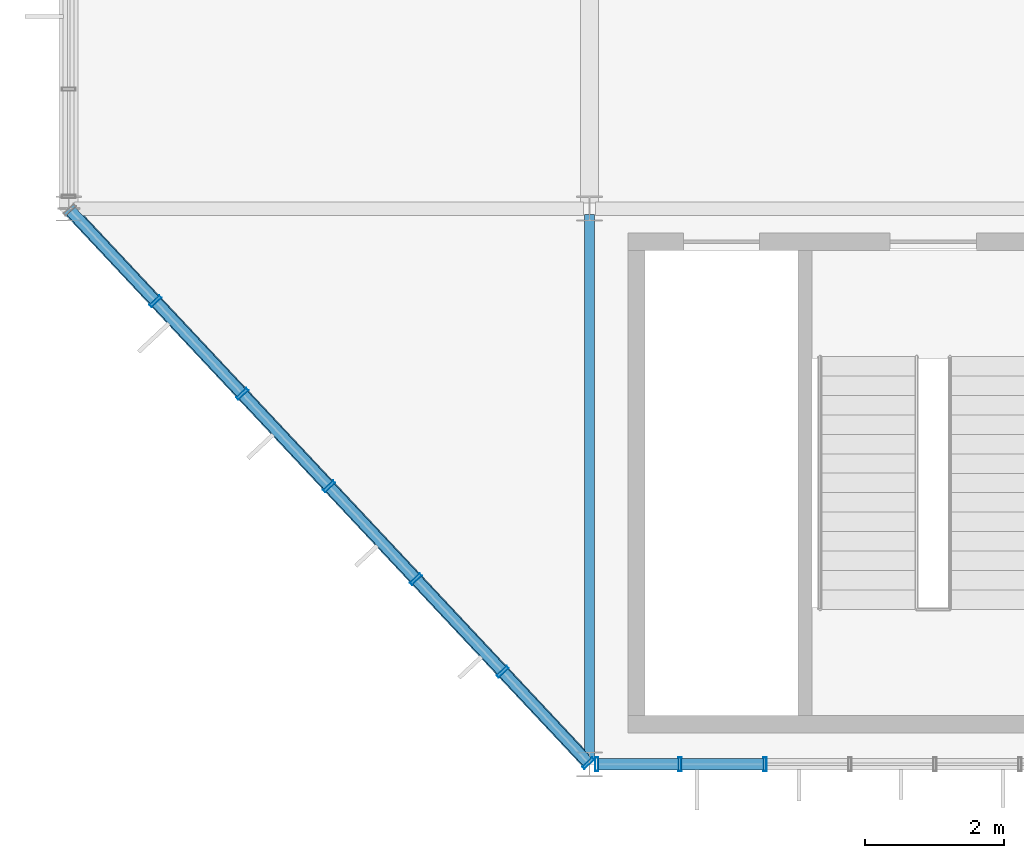
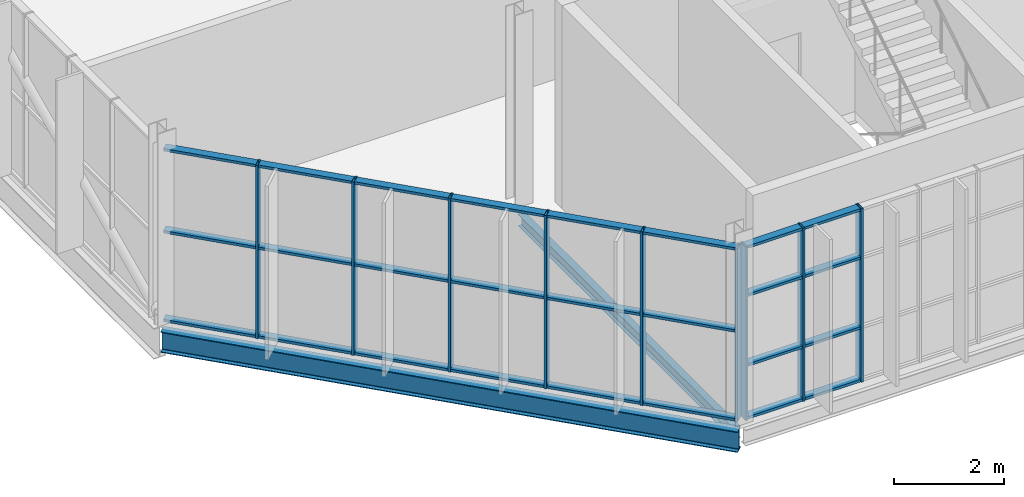
# One storey, part 16 of 324: 35 members, 2 beams, 2 elements without a shape of their own.
"""IFC4 building model written with IfcOpenShell, lengths in metres."""

from ifc_helpers import new_model, si_unit, direction, frame, origin, origin_2d, place, context, subcontext, project, spatial, hollow_rectangle, i_section, extrude, material, layer, layer_set, material_profile, profile_set, type_object, element, aggregate, save


model = new_model("IFC4")

# Units and contexts
model_context = context("Model", 3, precision=1e-05, world=origin(), true_north=direction((0.0, 1.0)))
body_context = subcontext(model_context, "Body", "Model", "MODEL_VIEW")
ifc_project = project(units=[si_unit("LENGTHUNIT", "METRE"), si_unit("AREAUNIT", "SQUARE_METRE"), si_unit("VOLUMEUNIT", "CUBIC_METRE"), si_unit("PLANEANGLEUNIT", "RADIAN"), si_unit("MASSUNIT", "GRAM", prefix="KILO")], contexts=[model_context])

# Site, building, storey
site_placement = place(None, origin())
site = spatial("IfcSite", under=ifc_project, at=site_placement, CompositionType="ELEMENT")
building_placement = place(site_placement, origin())
building = spatial("IfcBuilding", under=site, at=building_placement, Name="Solvenia Promenade Tram Depot", CompositionType="ELEMENT")
storey_placement = place(building_placement, frame((0.0, 0.0, 4.5)))
storey = spatial("IfcBuildingStorey", under=building, at=storey_placement, Name="L01", CompositionType="ELEMENT", Elevation=4.5)

# Curtain wall, members
ifc_material_1 = material(Name="Anodized aluminium AW-6063 T6", Category="aluminium")
ifc_layer_1 = layer(ifc_material_1, 0.179931640625, Name="Anodized aluminium AW-6063 T6", Category="aluminium")
ifc_layer_set_1 = layer_set([ifc_layer_1], Name="Anodized aluminium AW-6063 T6")
curtain_wall_type_1 = type_object("IfcCurtainWallType", Name="CW-Prom-1800", PredefinedType="NOTDEFINED", material=ifc_layer_set_1)
curtain_wall_1_placement = place(storey_placement, origin())
curtain_wall_1 = element("IfcCurtainWall", 1, at=curtain_wall_1_placement, inside=storey, type_object=curtain_wall_type_1, Name="L01 West Park Faceted Prow Curtain Wall", PredefinedType="NOTDEFINED")
ifc_material_profile_1 = material_profile(ifc_material_1, hollow_rectangle(XDim=0.199951171875, YDim=0.048095703125, WallThickness=0.00390625, at=origin_2d()), Name="ALU-M3", Category="aluminium")
ifc_profile_set_1 = profile_set([ifc_material_profile_1], Name="Anodized aluminium AW-6063 T6")
member_type_1 = type_object("IfcMemberType", Name="CWM-Mullion-3", PredefinedType="MULLION", material=ifc_profile_set_1)
member_1_placement = place(storey_placement, frame((1.25, 6.666748046875, 0.0), z_axis=(0.0, 0.0, 1.0), x_axis=(0.72953720414, 0.683941128881, 0.0)))
member_1 = element("IfcMember", 2, at=member_1_placement, type_object=member_type_1, Name="CW-9 mullion 2", PredefinedType="MULLION", context=body_context, shape_type="SweptSolid", body=[
    extrude(hollow_rectangle(XDim=0.199951171875, YDim=0.048095703125, WallThickness=0.00390625, at=origin_2d()), origin(), (0.0, 0.0, 1.0), 3.85009765625),
])
member_2_placement = place(storey_placement, frame((2.5, 5.333251953125, 0.0), z_axis=(0.0, 0.0, 1.0), x_axis=(0.72953720414, 0.683941128881, 0.0)))
member_2 = element("IfcMember", 3, at=member_2_placement, type_object=member_type_1, Name="CW-9 mullion 3", PredefinedType="MULLION", context=body_context, shape_type="SweptSolid", body=[
    extrude(hollow_rectangle(XDim=0.199951171875, YDim=0.048095703125, WallThickness=0.00390625, at=origin_2d()), origin(), (0.0, 0.0, 1.0), 3.85009765625),
])
member_3_placement = place(storey_placement, frame((3.75, 4.0, 0.0), z_axis=(0.0, 0.0, 1.0), x_axis=(0.72953720414, 0.683941128881, 0.0)))
member_3 = element("IfcMember", 4, at=member_3_placement, type_object=member_type_1, Name="CW-9 mullion 4", PredefinedType="MULLION", context=body_context, shape_type="SweptSolid", body=[
    extrude(hollow_rectangle(XDim=0.199951171875, YDim=0.048095703125, WallThickness=0.00390625, at=origin_2d()), origin(), (0.0, 0.0, 1.0), 3.85009765625),
])
member_4_placement = place(storey_placement, frame((5.0, 2.666748046875, 0.0), z_axis=(0.0, 0.0, 1.0), x_axis=(0.72953720414, 0.683941128881, 0.0)))
member_4 = element("IfcMember", 5, at=member_4_placement, type_object=member_type_1, Name="CW-9 mullion 5", PredefinedType="MULLION", context=body_context, shape_type="SweptSolid", body=[
    extrude(hollow_rectangle(XDim=0.199951171875, YDim=0.048095703125, WallThickness=0.00390625, at=origin_2d()), origin(), (0.0, 0.0, 1.0), 3.85009765625),
])
member_5_placement = place(storey_placement, frame((6.25, 1.333251953125, 0.0), z_axis=(0.0, 0.0, 1.0), x_axis=(0.72953720414, 0.683941128881, 0.0)))
member_5 = element("IfcMember", 6, at=member_5_placement, type_object=member_type_1, Name="CW-9 mullion 6", PredefinedType="MULLION", context=body_context, shape_type="SweptSolid", body=[
    extrude(hollow_rectangle(XDim=0.199951171875, YDim=0.048095703125, WallThickness=0.00390625, at=origin_2d()), origin(), (0.0, 0.0, 1.0), 3.85009765625),
])
member_6_placement = place(storey_placement, frame((7.483642578125, 0.017578125, 0.0), z_axis=(0.0, 0.0, 1.0), x_axis=(0.72953720414, 0.683941128881, 0.0)))
member_6 = element("IfcMember", 7, at=member_6_placement, type_object=member_type_1, Name="CW-9 mullion 7", PredefinedType="MULLION", context=body_context, shape_type="SweptSolid", body=[
    extrude(hollow_rectangle(XDim=0.199951171875, YDim=0.048095703125, WallThickness=0.00390625, at=origin_2d()), origin(), (0.0, 0.0, 1.0), 3.85009765625),
])

ifc_layer_2 = layer(ifc_material_1, 0.179931640625, Name="Anodized aluminium AW-6063 T6", Category="aluminium")
ifc_layer_set_2 = layer_set([ifc_layer_2], Name="Anodized aluminium AW-6063 T6")
curtain_wall_type_2 = type_object("IfcCurtainWallType", Name="CW-Solar-1250", PredefinedType="NOTDEFINED", material=ifc_layer_set_2)
curtain_wall_2_placement = place(storey_placement, origin())
curtain_wall_2 = element("IfcCurtainWall", 8, at=curtain_wall_2_placement, inside=storey, type_object=curtain_wall_type_2, Name="Curtain Wall CW-V4S-L01-01", PredefinedType="NOTDEFINED")
member_7_placement = place(storey_placement, frame((7.60400390625, 0.0, 0.0), z_axis=(0.0, 0.0, 1.0), x_axis=(0.0, 1.0, 0.0)))
member_7 = element("IfcMember", 9, at=member_7_placement, type_object=member_type_1, Name="CW-6 mullion 1", PredefinedType="MULLION", context=body_context, shape_type="SweptSolid", body=[
    extrude(hollow_rectangle(XDim=0.199951171875, YDim=0.048095703125, WallThickness=0.00390625, at=origin_2d()), origin(), (0.0, 0.0, 1.0), 3.85009765625),
])
member_8_placement = place(storey_placement, frame((8.80322265625, 0.0, 0.0), z_axis=(0.0, 0.0, 1.0), x_axis=(0.0, 1.0, 0.0)))
member_8 = element("IfcMember", 10, at=member_8_placement, type_object=member_type_1, Name="CW-6 mullion 2", PredefinedType="MULLION", context=body_context, shape_type="SweptSolid", body=[
    extrude(hollow_rectangle(XDim=0.199951171875, YDim=0.048095703125, WallThickness=0.00390625, at=origin_2d()), origin(), (0.0, 0.0, 1.0), 3.85009765625),
])
member_9_placement = place(storey_placement, frame((10.026611328125, 0.0, 0.0), z_axis=(0.0, 0.0, 1.0), x_axis=(0.0, 1.0, 0.0)))
member_9 = element("IfcMember", 11, at=member_9_placement, type_object=member_type_1, Name="CW-6 mullion 3", PredefinedType="MULLION", context=body_context, shape_type="SweptSolid", body=[
    extrude(hollow_rectangle(XDim=0.199951171875, YDim=0.048095703125, WallThickness=0.00390625, at=origin_2d()), origin(), (0.0, 0.0, 1.0), 3.85009765625),
])

# Member
ifc_material_profile_2 = material_profile(ifc_material_1, hollow_rectangle(XDim=0.159912109375, YDim=0.05810546875, WallThickness=0.00390625, at=origin_2d()), Name="ALU-T3", Category="aluminium")
ifc_profile_set_2 = profile_set([ifc_material_profile_2], Name="Anodized aluminium AW-6063 T6")
member_type_2 = type_object("IfcMemberType", Name="CWT-Transom-3", PredefinedType="USERDEFINED", material=ifc_profile_set_2)
member_10_placement = place(storey_placement, frame((0.03271484375, 7.965087890625, 0.029052734375), z_axis=(0.683936503845, -0.729541540084, 0.0), x_axis=(0.729541540084, 0.683936503845, 0.0)))
member_10 = element("IfcMember", 12, at=member_10_placement, type_object=member_type_2, Name="CW-9 transom 1.1", ObjectType="TRANSOM", PredefinedType="USERDEFINED", context=body_context, shape_type="SweptSolid", body=[
    extrude(hollow_rectangle(XDim=0.159912109375, YDim=0.05810546875, WallThickness=0.00390625, at=origin_2d()), origin(), (0.0, 0.0, 1.0), 1.755859375),
])

member_11_placement = place(storey_placement, frame((0.03271484375, 7.965087890625, 2.0), z_axis=(0.683936503845, -0.729541540084, 0.0), x_axis=(0.729541540084, 0.683936503845, 0.0)))
member_11 = element("IfcMember", 13, at=member_11_placement, type_object=member_type_2, Name="CW-9 transom 1.2", ObjectType="TRANSOM", PredefinedType="USERDEFINED", context=body_context, shape_type="SweptSolid", body=[
    extrude(hollow_rectangle(XDim=0.159912109375, YDim=0.05810546875, WallThickness=0.00390625, at=origin_2d()), origin(), (0.0, 0.0, 1.0), 1.755859375),
])

member_12_placement = place(storey_placement, frame((0.03271484375, 7.965087890625, 3.821044921875), z_axis=(0.683936503845, -0.729541540084, 0.0), x_axis=(0.729541540084, 0.683936503845, 0.0)))
member_12 = element("IfcMember", 14, at=member_12_placement, type_object=member_type_2, Name="CW-9 transom 1.3", ObjectType="TRANSOM", PredefinedType="USERDEFINED", context=body_context, shape_type="SweptSolid", body=[
    extrude(hollow_rectangle(XDim=0.159912109375, YDim=0.05810546875, WallThickness=0.00390625, at=origin_2d()), origin(), (0.0, 0.0, 1.0), 1.755859375),
])

member_13_placement = place(storey_placement, frame((1.266357421875, 6.649169921875, 0.029052734375), z_axis=(0.683968506921, -0.729511536263, 0.0), x_axis=(0.729511536263, 0.683968506921, 0.0)))
member_13 = element("IfcMember", 15, at=member_13_placement, type_object=member_type_2, Name="CW-9 transom 2.1", ObjectType="TRANSOM", PredefinedType="USERDEFINED", context=body_context, shape_type="SweptSolid", body=[
    extrude(hollow_rectangle(XDim=0.159912109375, YDim=0.05810546875, WallThickness=0.00390625, at=origin_2d()), origin(), (0.0, 0.0, 1.0), 1.77978515625),
])

member_14_placement = place(storey_placement, frame((1.266357421875, 6.649169921875, 2.0), z_axis=(0.683968506921, -0.729511536263, 0.0), x_axis=(0.729511536263, 0.683968506921, 0.0)))
member_14 = element("IfcMember", 16, at=member_14_placement, type_object=member_type_2, Name="CW-9 transom 2.2", ObjectType="TRANSOM", PredefinedType="USERDEFINED", context=body_context, shape_type="SweptSolid", body=[
    extrude(hollow_rectangle(XDim=0.159912109375, YDim=0.05810546875, WallThickness=0.00390625, at=origin_2d()), origin(), (0.0, 0.0, 1.0), 1.77978515625),
])

member_15_placement = place(storey_placement, frame((1.266357421875, 6.649169921875, 3.821044921875), z_axis=(0.683968506921, -0.729511536263, 0.0), x_axis=(0.729511536263, 0.683968506921, 0.0)))
member_15 = element("IfcMember", 17, at=member_15_placement, type_object=member_type_2, Name="CW-9 transom 2.3", ObjectType="TRANSOM", PredefinedType="USERDEFINED", context=body_context, shape_type="SweptSolid", body=[
    extrude(hollow_rectangle(XDim=0.159912109375, YDim=0.05810546875, WallThickness=0.00390625, at=origin_2d()), origin(), (0.0, 0.0, 1.0), 1.77978515625),
])

member_16_placement = place(storey_placement, frame((2.516357421875, 5.31591796875, 0.029052734375), z_axis=(0.683968506921, -0.729511536263, 0.0), x_axis=(0.729511536263, 0.683968506921, 0.0)))
member_16 = element("IfcMember", 18, at=member_16_placement, type_object=member_type_2, Name="CW-9 transom 3.1", ObjectType="TRANSOM", PredefinedType="USERDEFINED", context=body_context, shape_type="SweptSolid", body=[
    extrude(hollow_rectangle(XDim=0.159912109375, YDim=0.05810546875, WallThickness=0.00390625, at=origin_2d()), origin(), (0.0, 0.0, 1.0), 1.77978515625),
])

member_17_placement = place(storey_placement, frame((2.516357421875, 5.31591796875, 2.0), z_axis=(0.683968506921, -0.729511536263, 0.0), x_axis=(0.729511536263, 0.683968506921, 0.0)))
member_17 = element("IfcMember", 19, at=member_17_placement, type_object=member_type_2, Name="CW-9 transom 3.2", ObjectType="TRANSOM", PredefinedType="USERDEFINED", context=body_context, shape_type="SweptSolid", body=[
    extrude(hollow_rectangle(XDim=0.159912109375, YDim=0.05810546875, WallThickness=0.00390625, at=origin_2d()), origin(), (0.0, 0.0, 1.0), 1.77978515625),
])

member_18_placement = place(storey_placement, frame((2.516357421875, 5.31591796875, 3.821044921875), z_axis=(0.683968506921, -0.729511536263, 0.0), x_axis=(0.729511536263, 0.683968506921, 0.0)))
member_18 = element("IfcMember", 20, at=member_18_placement, type_object=member_type_2, Name="CW-9 transom 3.3", ObjectType="TRANSOM", PredefinedType="USERDEFINED", context=body_context, shape_type="SweptSolid", body=[
    extrude(hollow_rectangle(XDim=0.159912109375, YDim=0.05810546875, WallThickness=0.00390625, at=origin_2d()), origin(), (0.0, 0.0, 1.0), 1.77978515625),
])

member_19_placement = place(storey_placement, frame((3.766357421875, 3.982421875, 0.029052734375), z_axis=(0.683968506921, -0.729511536263, 0.0), x_axis=(0.729511536263, 0.683968506921, 0.0)))
member_19 = element("IfcMember", 21, at=member_19_placement, type_object=member_type_2, Name="CW-9 transom 4.1", ObjectType="TRANSOM", PredefinedType="USERDEFINED", context=body_context, shape_type="SweptSolid", body=[
    extrude(hollow_rectangle(XDim=0.159912109375, YDim=0.05810546875, WallThickness=0.00390625, at=origin_2d()), origin(), (0.0, 0.0, 1.0), 1.77978515625),
])

member_20_placement = place(storey_placement, frame((3.766357421875, 3.982421875, 2.0), z_axis=(0.683968506921, -0.729511536263, 0.0), x_axis=(0.729511536263, 0.683968506921, 0.0)))
member_20 = element("IfcMember", 22, at=member_20_placement, type_object=member_type_2, Name="CW-9 transom 4.2", ObjectType="TRANSOM", PredefinedType="USERDEFINED", context=body_context, shape_type="SweptSolid", body=[
    extrude(hollow_rectangle(XDim=0.159912109375, YDim=0.05810546875, WallThickness=0.00390625, at=origin_2d()), origin(), (0.0, 0.0, 1.0), 1.77978515625),
])

member_21_placement = place(storey_placement, frame((3.766357421875, 3.982421875, 3.821044921875), z_axis=(0.683968506921, -0.729511536263, 0.0), x_axis=(0.729511536263, 0.683968506921, 0.0)))
member_21 = element("IfcMember", 23, at=member_21_placement, type_object=member_type_2, Name="CW-9 transom 4.3", ObjectType="TRANSOM", PredefinedType="USERDEFINED", context=body_context, shape_type="SweptSolid", body=[
    extrude(hollow_rectangle(XDim=0.159912109375, YDim=0.05810546875, WallThickness=0.00390625, at=origin_2d()), origin(), (0.0, 0.0, 1.0), 1.77978515625),
])

member_22_placement = place(storey_placement, frame((5.016357421875, 2.649169921875, 0.029052734375), z_axis=(0.683968506921, -0.729511536263, 0.0), x_axis=(0.729511536263, 0.683968506921, 0.0)))
member_22 = element("IfcMember", 24, at=member_22_placement, type_object=member_type_2, Name="CW-9 transom 5.1", ObjectType="TRANSOM", PredefinedType="USERDEFINED", context=body_context, shape_type="SweptSolid", body=[
    extrude(hollow_rectangle(XDim=0.159912109375, YDim=0.05810546875, WallThickness=0.00390625, at=origin_2d()), origin(), (0.0, 0.0, 1.0), 1.77978515625),
])

member_23_placement = place(storey_placement, frame((5.016357421875, 2.649169921875, 2.0), z_axis=(0.683968506921, -0.729511536263, 0.0), x_axis=(0.729511536263, 0.683968506921, 0.0)))
member_23 = element("IfcMember", 25, at=member_23_placement, type_object=member_type_2, Name="CW-9 transom 5.2", ObjectType="TRANSOM", PredefinedType="USERDEFINED", context=body_context, shape_type="SweptSolid", body=[
    extrude(hollow_rectangle(XDim=0.159912109375, YDim=0.05810546875, WallThickness=0.00390625, at=origin_2d()), origin(), (0.0, 0.0, 1.0), 1.77978515625),
])

member_24_placement = place(storey_placement, frame((5.016357421875, 2.649169921875, 3.821044921875), z_axis=(0.683968506921, -0.729511536263, 0.0), x_axis=(0.729511536263, 0.683968506921, 0.0)))
member_24 = element("IfcMember", 26, at=member_24_placement, type_object=member_type_2, Name="CW-9 transom 5.3", ObjectType="TRANSOM", PredefinedType="USERDEFINED", context=body_context, shape_type="SweptSolid", body=[
    extrude(hollow_rectangle(XDim=0.159912109375, YDim=0.05810546875, WallThickness=0.00390625, at=origin_2d()), origin(), (0.0, 0.0, 1.0), 1.77978515625),
])

member_25_placement = place(storey_placement, frame((6.266357421875, 1.31591796875, 0.029052734375), z_axis=(0.683936503845, -0.729541540084, 0.0), x_axis=(0.729541540084, 0.683936503845, 0.0)))
member_25 = element("IfcMember", 27, at=member_25_placement, type_object=member_type_2, Name="CW-9 transom 6.1", ObjectType="TRANSOM", PredefinedType="USERDEFINED", context=body_context, shape_type="SweptSolid", body=[
    extrude(hollow_rectangle(XDim=0.159912109375, YDim=0.05810546875, WallThickness=0.00390625, at=origin_2d()), origin(), (0.0, 0.0, 1.0), 1.755859375),
])

member_26_placement = place(storey_placement, frame((6.266357421875, 1.31591796875, 2.0), z_axis=(0.683936503845, -0.729541540084, 0.0), x_axis=(0.729541540084, 0.683936503845, 0.0)))
member_26 = element("IfcMember", 28, at=member_26_placement, type_object=member_type_2, Name="CW-9 transom 6.2", ObjectType="TRANSOM", PredefinedType="USERDEFINED", context=body_context, shape_type="SweptSolid", body=[
    extrude(hollow_rectangle(XDim=0.159912109375, YDim=0.05810546875, WallThickness=0.00390625, at=origin_2d()), origin(), (0.0, 0.0, 1.0), 1.755859375),
])

member_27_placement = place(storey_placement, frame((6.266357421875, 1.31591796875, 3.821044921875), z_axis=(0.683936503845, -0.729541540084, 0.0), x_axis=(0.729541540084, 0.683936503845, 0.0)))
member_27 = element("IfcMember", 29, at=member_27_placement, type_object=member_type_2, Name="CW-9 transom 6.3", ObjectType="TRANSOM", PredefinedType="USERDEFINED", context=body_context, shape_type="SweptSolid", body=[
    extrude(hollow_rectangle(XDim=0.159912109375, YDim=0.05810546875, WallThickness=0.00390625, at=origin_2d()), origin(), (0.0, 0.0, 1.0), 1.755859375),
])

aggregate(curtain_wall_1, [member_1, member_2, member_3, member_4, member_5, member_6, member_10, member_11, member_12, member_13, member_14, member_15, member_16, member_17, member_18, member_19, member_20, member_21, member_22, member_23, member_24, member_25, member_26, member_27])

member_28_placement = place(storey_placement, frame((7.6279296875, 0.0, 0.029052734375), z_axis=(1.0, 0.0, 0.0), x_axis=(0.0, 1.0, 0.0)))
member_28 = element("IfcMember", 30, at=member_28_placement, type_object=member_type_2, Name="CW-6 transom 1.1", ObjectType="TRANSOM", PredefinedType="USERDEFINED", context=body_context, shape_type="SweptSolid", body=[
    extrude(hollow_rectangle(XDim=0.159912109375, YDim=0.05810546875, WallThickness=0.00390625, at=origin_2d()), origin(), (0.0, 0.0, 1.0), 1.1513671875),
])

member_29_placement = place(storey_placement, frame((7.6279296875, 0.0, 1.199951171875), z_axis=(1.0, 0.0, 0.0), x_axis=(0.0, 1.0, 0.0)))
member_29 = element("IfcMember", 31, at=member_29_placement, type_object=member_type_2, Name="CW-6 transom 1.2", ObjectType="TRANSOM", PredefinedType="USERDEFINED", context=body_context, shape_type="SweptSolid", body=[
    extrude(hollow_rectangle(XDim=0.159912109375, YDim=0.05810546875, WallThickness=0.00390625, at=origin_2d()), origin(), (0.0, 0.0, 1.0), 1.1513671875),
])

member_30_placement = place(storey_placement, frame((7.6279296875, 0.0, 2.75), z_axis=(1.0, 0.0, 0.0), x_axis=(0.0, 1.0, 0.0)))
member_30 = element("IfcMember", 32, at=member_30_placement, type_object=member_type_2, Name="CW-6 transom 1.3", ObjectType="TRANSOM", PredefinedType="USERDEFINED", context=body_context, shape_type="SweptSolid", body=[
    extrude(hollow_rectangle(XDim=0.159912109375, YDim=0.05810546875, WallThickness=0.00390625, at=origin_2d()), origin(), (0.0, 0.0, 1.0), 1.1513671875),
])

member_31_placement = place(storey_placement, frame((7.6279296875, 0.0, 3.821044921875), z_axis=(1.0, 0.0, 0.0), x_axis=(0.0, 1.0, 0.0)))
member_31 = element("IfcMember", 33, at=member_31_placement, type_object=member_type_2, Name="CW-6 transom 1.4", ObjectType="TRANSOM", PredefinedType="USERDEFINED", context=body_context, shape_type="SweptSolid", body=[
    extrude(hollow_rectangle(XDim=0.159912109375, YDim=0.05810546875, WallThickness=0.00390625, at=origin_2d()), origin(), (0.0, 0.0, 1.0), 1.1513671875),
])

member_32_placement = place(storey_placement, frame((8.827392578125, 0.0, 0.029052734375), z_axis=(1.0, 0.0, 0.0), x_axis=(0.0, 1.0, 0.0)))
member_32 = element("IfcMember", 34, at=member_32_placement, type_object=member_type_2, Name="CW-6 transom 2.1", ObjectType="TRANSOM", PredefinedType="USERDEFINED", context=body_context, shape_type="SweptSolid", body=[
    extrude(hollow_rectangle(XDim=0.159912109375, YDim=0.05810546875, WallThickness=0.00390625, at=origin_2d()), origin(), (0.0, 0.0, 1.0), 1.17529296875),
])

member_33_placement = place(storey_placement, frame((8.827392578125, 0.0, 1.199951171875), z_axis=(1.0, 0.0, 0.0), x_axis=(0.0, 1.0, 0.0)))
member_33 = element("IfcMember", 35, at=member_33_placement, type_object=member_type_2, Name="CW-6 transom 2.2", ObjectType="TRANSOM", PredefinedType="USERDEFINED", context=body_context, shape_type="SweptSolid", body=[
    extrude(hollow_rectangle(XDim=0.159912109375, YDim=0.05810546875, WallThickness=0.00390625, at=origin_2d()), origin(), (0.0, 0.0, 1.0), 1.17529296875),
])

member_34_placement = place(storey_placement, frame((8.827392578125, 0.0, 2.75), z_axis=(1.0, 0.0, 0.0), x_axis=(0.0, 1.0, 0.0)))
member_34 = element("IfcMember", 36, at=member_34_placement, type_object=member_type_2, Name="CW-6 transom 2.3", ObjectType="TRANSOM", PredefinedType="USERDEFINED", context=body_context, shape_type="SweptSolid", body=[
    extrude(hollow_rectangle(XDim=0.159912109375, YDim=0.05810546875, WallThickness=0.00390625, at=origin_2d()), origin(), (0.0, 0.0, 1.0), 1.17529296875),
])

member_35_placement = place(storey_placement, frame((8.827392578125, 0.0, 3.821044921875), z_axis=(1.0, 0.0, 0.0), x_axis=(0.0, 1.0, 0.0)))
member_35 = element("IfcMember", 37, at=member_35_placement, type_object=member_type_2, Name="CW-6 transom 2.4", ObjectType="TRANSOM", PredefinedType="USERDEFINED", context=body_context, shape_type="SweptSolid", body=[
    extrude(hollow_rectangle(XDim=0.159912109375, YDim=0.05810546875, WallThickness=0.00390625, at=origin_2d()), origin(), (0.0, 0.0, 1.0), 1.17529296875),
])

aggregate(curtain_wall_2, [member_7, member_8, member_9, member_28, member_29, member_30, member_31, member_32, member_33, member_34, member_35])

# Beams
ifc_material_2 = material(Name="Structural steel ASTM A992 Gr. 50", Category="steel")
ifc_material_profile_3 = material_profile(ifc_material_2, i_section(OverallWidth=0.14697265625, OverallDepth=0.261962890625, WebThickness=0.006591796875, FlangeThickness=0.01123046875, FilletRadius=0.010009765625, at=origin_2d()), Name="W250x39", Category="steel")
ifc_profile_set_3 = profile_set([ifc_material_profile_3], Name="Structural steel ASTM A992 Gr. 50")
beam_type_1 = type_object("IfcBeamType", Name="Joist-W250x39", PredefinedType="JOIST", material=ifc_profile_set_3)
beam_1_placement = place(storey_placement, frame((7.5, 0.0849609375, -0.35107421875), z_axis=(0.0, 1.0, 0.0), x_axis=(-1.0, 0.0, 0.0)))
element("IfcBeam", 38, at=beam_1_placement, inside=storey, type_object=beam_type_1, Name="Transverse Girder BM-L01-0331", PredefinedType="JOIST", context=body_context, shape_type="SweptSolid", body=[
    extrude(i_section(OverallWidth=0.14697265625, OverallDepth=0.261962890625, WebThickness=0.006591796875, FlangeThickness=0.01123046875, FilletRadius=0.010009765625, at=origin_2d()), origin(), (0.0, 0.0, 1.0), 7.830078125),
])
ifc_material_profile_4 = material_profile(ifc_material_2, i_section(OverallWidth=0.19091796875, OverallDepth=0.4599609375, WebThickness=0.010009765625, FlangeThickness=0.01611328125, FilletRadius=0.012939453125, at=origin_2d()), Name="W460x82", Category="steel")
ifc_profile_set_4 = profile_set([ifc_material_profile_4], Name="Structural steel ASTM A992 Gr. 50")
beam_type_2 = type_object("IfcBeamType", Name="Spandrel-W460x82", PredefinedType="SPANDREL", material=ifc_profile_set_4)
beam_2_placement = place(storey_placement, frame((0.0, 8.0, -0.449951171875), z_axis=(0.683941128881, -0.72953720414, 0.0), x_axis=(0.72953720414, 0.683941128881, 0.0)))
element("IfcBeam", 39, at=beam_2_placement, inside=storey, type_object=beam_type_2, Name="West Park Chamfer Spandrel BM-L01-0354", PredefinedType="SPANDREL", context=body_context, shape_type="SweptSolid", body=[
    extrude(i_section(OverallWidth=0.19091796875, OverallDepth=0.4599609375, WebThickness=0.010009765625, FlangeThickness=0.01611328125, FilletRadius=0.012939453125, at=origin_2d()), origin(), (0.0, 0.0, 1.0), 10.9658203125),
])

save(model, "model.ifc")
